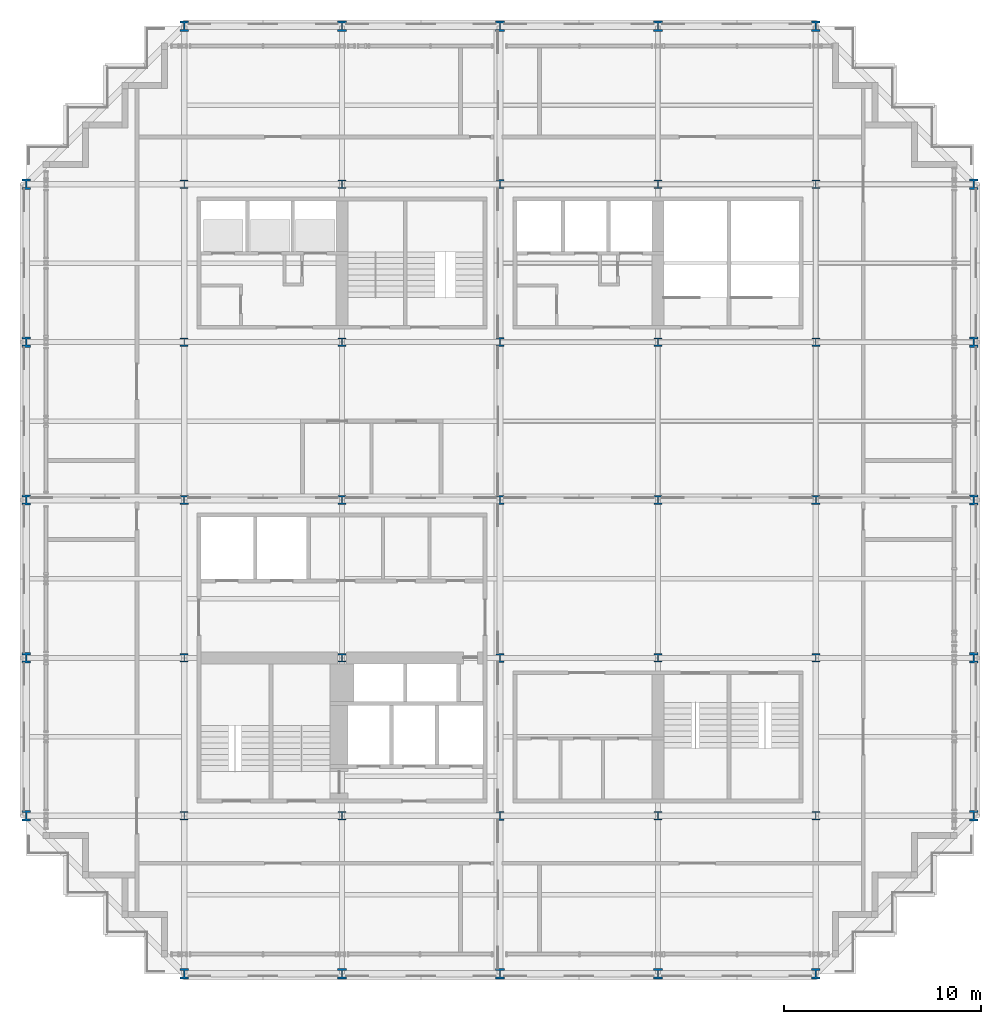
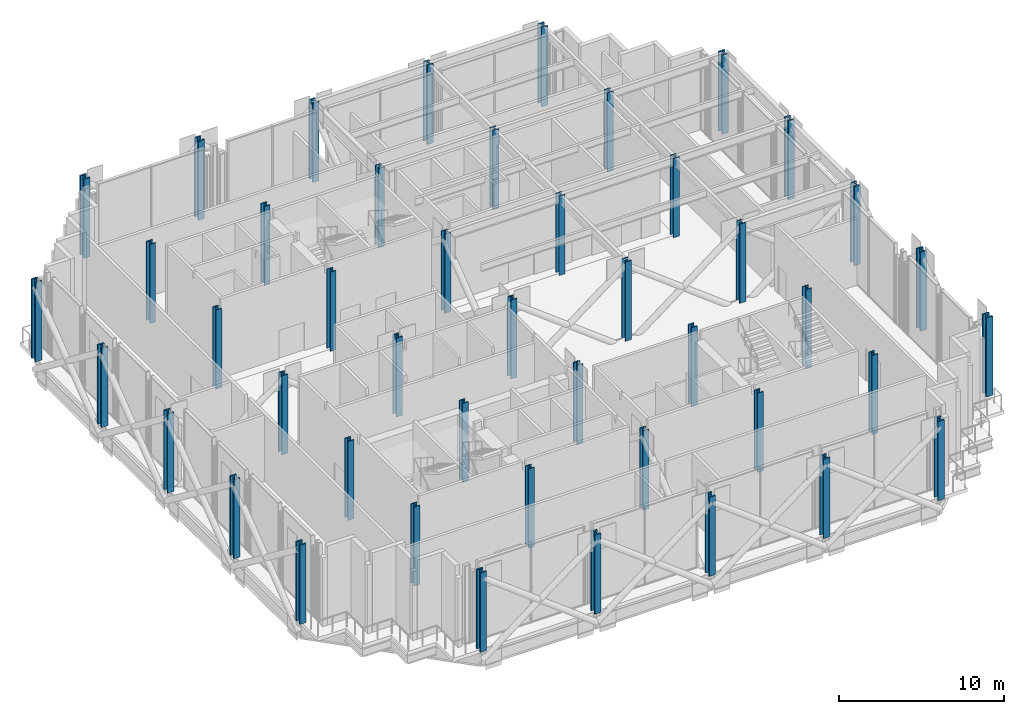
# One storey, part 1 of 25: 45 columns.
"""IFC4 building model written with IfcOpenShell, lengths in metres."""

from ifc_helpers import new_model, si_unit, direction, frame, origin, origin_2d, place, context, subcontext, project, spatial, i_section, extrude, material, material_profile, profile_set, type_object, element, save


model = new_model("IFC4")

# Units and contexts
model_context = context("Model", 3, precision=1e-05, world=origin(), true_north=direction((0.0, 1.0)))
body_context = subcontext(model_context, "Body", "Model", "MODEL_VIEW")
ifc_project = project(units=[si_unit("LENGTHUNIT", "METRE"), si_unit("AREAUNIT", "SQUARE_METRE"), si_unit("VOLUMEUNIT", "CUBIC_METRE"), si_unit("PLANEANGLEUNIT", "RADIAN"), si_unit("MASSUNIT", "GRAM", prefix="KILO")], contexts=[model_context])

# Site, building, storey
site_placement = place(None, origin())
site = spatial("IfcSite", under=ifc_project, at=site_placement, CompositionType="ELEMENT")
building_placement = place(site_placement, origin())
building = spatial("IfcBuilding", under=site, at=building_placement, Name="Immortelle Media Tower", CompositionType="ELEMENT")
storey_placement = place(building_placement, frame((0.0, 0.0, 114.0)))
storey = spatial("IfcBuildingStorey", under=building, at=storey_placement, Name="L22", CompositionType="ELEMENT", Elevation=114.0)

# Columns
ifc_material = material(Name="Steel ASTM A992 Gr 50", Category="steel")
ifc_material_profile_1 = material_profile(ifc_material, i_section(OverallWidth=0.410888671875, OverallDepth=0.43408203125, WebThickness=0.035888671875, FlangeThickness=0.056884765625, at=origin_2d()), Name="W14x311")
ifc_profile_set_1 = profile_set([ifc_material_profile_1], Name="Steel ASTM A992 Gr 50")
column_type_1 = type_object("IfcColumnType", Name="W14x311 column", PredefinedType="COLUMN", material=ifc_profile_set_1)
for number, where, z_axis, x_axis, name in (
    (1, (8.0, 8.0, 0.0), (0.0, 0.0, 1.0), (1.0, 0.0, 0.0), "Column 2/B"),
    (2, (8.0, 16.0, 0.0), (0.0, 0.0, 1.0), (1.0, 0.0, 0.0), "Column 2/C"),
    (3, (8.0, 32.0, 0.0), (0.0, 0.0, 1.0), (1.0, 0.0, 0.0), "Column 2/E"),
    (4, (8.0, 40.0, 0.0), (0.0, 0.0, 1.0), (1.0, 0.0, 0.0), "Column 2/F"),
    (5, (16.0, 8.0, 0.0), (0.0, 0.0, 1.0), (1.0, 0.0, 0.0), "Column 3/B"),
    (6, (16.0, 16.0, 0.0), (0.0, 0.0, 1.0), (1.0, 0.0, 0.0), "Column 3/C"),
    (7, (16.0, 32.0, 0.0), (0.0, 0.0, 1.0), (1.0, 0.0, 0.0), "Column 3/E"),
    (8, (16.0, 40.0, 0.0), (0.0, 0.0, 1.0), (1.0, 0.0, 0.0), "Column 3/F"),
    (9, (32.0, 8.0, 0.0), (0.0, 0.0, 1.0), (1.0, 0.0, 0.0), "Column 5/B"),
    (10, (32.0, 16.0, 0.0), (0.0, 0.0, 1.0), (1.0, 0.0, 0.0), "Column 5/C"),
    (11, (32.0, 32.0, 0.0), (0.0, 0.0, 1.0), (1.0, 0.0, 0.0), "Column 5/E"),
    (12, (32.0, 40.0, 0.0), (0.0, 0.0, 1.0), (1.0, 0.0, 0.0), "Column 5/F"),
    (13, (40.0, 8.0, 0.0), (0.0, 0.0, 1.0), (1.0, 0.0, 0.0), "Column 6/B"),
    (14, (40.0, 16.0, 0.0), (0.0, 0.0, 1.0), (1.0, 0.0, 0.0), "Column 6/C"),
    (15, (40.0, 32.0, 0.0), (0.0, 0.0, 1.0), (1.0, 0.0, 0.0), "Column 6/E"),
    (16, (40.0, 40.0, 0.0), (0.0, 0.0, 1.0), (1.0, 0.0, 0.0), "Column 6/F"),
):
    element("IfcColumn", number, at=place(storey_placement, frame(where, z_axis=z_axis, x_axis=x_axis)), inside=storey, type_object=column_type_1, Name=name, PredefinedType="COLUMN", context=body_context, shape_type="SweptSolid", body=[
        extrude(i_section(OverallWidth=0.410888671875, OverallDepth=0.43408203125, WebThickness=0.035888671875, FlangeThickness=0.056884765625, at=origin_2d()), origin(), (0.0, 0.0, 1.0), 5.85009765625),
    ])
ifc_material_profile_2 = material_profile(ifc_material, i_section(OverallWidth=0.4189453125, OverallDepth=0.455078125, WebThickness=0.0419921875, FlangeThickness=0.068115234375, at=origin_2d()), Name="W14x370")
ifc_profile_set_2 = profile_set([ifc_material_profile_2], Name="Steel ASTM A992 Gr 50")
column_type_2 = type_object("IfcColumnType", Name="W14x370 column", PredefinedType="COLUMN", material=ifc_profile_set_2)
for number, where, z_axis, x_axis, name in (
    (17, (8.0, 24.0, 0.0), (0.0, 0.0, 1.0), (1.0, 0.0, 0.0), "Column 2/D"),
    (18, (16.0, 24.0, 0.0), (0.0, 0.0, 1.0), (1.0, 0.0, 0.0), "Column 3/D"),
    (19, (24.0, 8.0, 0.0), (0.0, 0.0, 1.0), (1.0, 0.0, 0.0), "Column 4/B"),
    (20, (24.0, 16.0, 0.0), (0.0, 0.0, 1.0), (1.0, 0.0, 0.0), "Column 4/C"),
    (21, (24.0, 24.0, 0.0), (0.0, 0.0, 1.0), (1.0, 0.0, 0.0), "Column 4/D"),
    (22, (24.0, 32.0, 0.0), (0.0, 0.0, 1.0), (1.0, 0.0, 0.0), "Column 4/E"),
    (23, (24.0, 40.0, 0.0), (0.0, 0.0, 1.0), (1.0, 0.0, 0.0), "Column 4/F"),
    (24, (32.0, 24.0, 0.0), (0.0, 0.0, 1.0), (1.0, 0.0, 0.0), "Column 5/D"),
    (25, (40.0, 24.0, 0.0), (0.0, 0.0, 1.0), (1.0, 0.0, 0.0), "Column 6/D"),
):
    element("IfcColumn", number, at=place(storey_placement, frame(where, z_axis=z_axis, x_axis=x_axis)), inside=storey, type_object=column_type_2, Name=name, PredefinedType="COLUMN", context=body_context, shape_type="SweptSolid", body=[
        extrude(i_section(OverallWidth=0.4189453125, OverallDepth=0.455078125, WebThickness=0.0419921875, FlangeThickness=0.068115234375, at=origin_2d()), origin(), (0.0, 0.0, 1.0), 5.85009765625),
    ])
ifc_material_profile_3 = material_profile(ifc_material, i_section(OverallWidth=0.44189453125, OverallDepth=0.531005859375, WebThickness=0.06591796875, FlangeThickness=0.10595703125, at=origin_2d()), Name="W14x605")
ifc_profile_set_3 = profile_set([ifc_material_profile_3], Name="Steel ASTM A992 Gr 50")
column_type_3 = type_object("IfcColumnType", Name="W14x605 column", PredefinedType="COLUMN", material=ifc_profile_set_3)
for number, where, z_axis, x_axis, name in (
    (26, (0.0, 8.0, 0.0), (0.0, 0.0, 1.0), (1.0, 0.0, 0.0), "Column 1/B"),
    (27, (0.0, 16.0, 0.0), (0.0, 0.0, 1.0), (1.0, 0.0, 0.0), "Column 1/C"),
    (28, (0.0, 24.0, 0.0), (0.0, 0.0, 1.0), (1.0, 0.0, 0.0), "Column 1/D"),
    (29, (0.0, 32.0, 0.0), (0.0, 0.0, 1.0), (1.0, 0.0, 0.0), "Column 1/E"),
    (30, (0.0, 40.0, 0.0), (0.0, 0.0, 1.0), (1.0, 0.0, 0.0), "Column 1/F"),
    (31, (8.0, 0.0, 0.0), (0.0, 0.0, 1.0), (1.0, 0.0, 0.0), "Column 2/A"),
    (32, (8.0, 48.0, 0.0), (0.0, 0.0, 1.0), (1.0, 0.0, 0.0), "Column 2/G"),
    (33, (16.0, 0.0, 0.0), (0.0, 0.0, 1.0), (1.0, 0.0, 0.0), "Column 3/A"),
    (34, (16.0, 48.0, 0.0), (0.0, 0.0, 1.0), (1.0, 0.0, 0.0), "Column 3/G"),
    (35, (24.0, 0.0, 0.0), (0.0, 0.0, 1.0), (1.0, 0.0, 0.0), "Column 4/A"),
    (36, (24.0, 48.0, 0.0), (0.0, 0.0, 1.0), (1.0, 0.0, 0.0), "Column 4/G"),
    (37, (32.0, 0.0, 0.0), (0.0, 0.0, 1.0), (1.0, 0.0, 0.0), "Column 5/A"),
    (38, (32.0, 48.0, 0.0), (0.0, 0.0, 1.0), (1.0, 0.0, 0.0), "Column 5/G"),
    (39, (40.0, 0.0, 0.0), (0.0, 0.0, 1.0), (1.0, 0.0, 0.0), "Column 6/A"),
    (40, (40.0, 48.0, 0.0), (0.0, 0.0, 1.0), (1.0, 0.0, 0.0), "Column 6/G"),
    (41, (48.0, 8.0, 0.0), (0.0, 0.0, 1.0), (1.0, 0.0, 0.0), "Column 7/B"),
    (42, (48.0, 16.0, 0.0), (0.0, 0.0, 1.0), (1.0, 0.0, 0.0), "Column 7/C"),
    (43, (48.0, 24.0, 0.0), (0.0, 0.0, 1.0), (1.0, 0.0, 0.0), "Column 7/D"),
    (44, (48.0, 32.0, 0.0), (0.0, 0.0, 1.0), (1.0, 0.0, 0.0), "Column 7/E"),
    (45, (48.0, 40.0, 0.0), (0.0, 0.0, 1.0), (1.0, 0.0, 0.0), "Column 7/F"),
):
    element("IfcColumn", number, at=place(storey_placement, frame(where, z_axis=z_axis, x_axis=x_axis)), inside=storey, type_object=column_type_3, Name=name, PredefinedType="COLUMN", context=body_context, shape_type="SweptSolid", body=[
        extrude(i_section(OverallWidth=0.44189453125, OverallDepth=0.531005859375, WebThickness=0.06591796875, FlangeThickness=0.10595703125, at=origin_2d()), origin(), (0.0, 0.0, 1.0), 5.85009765625),
    ])

save(model, "model.ifc")
